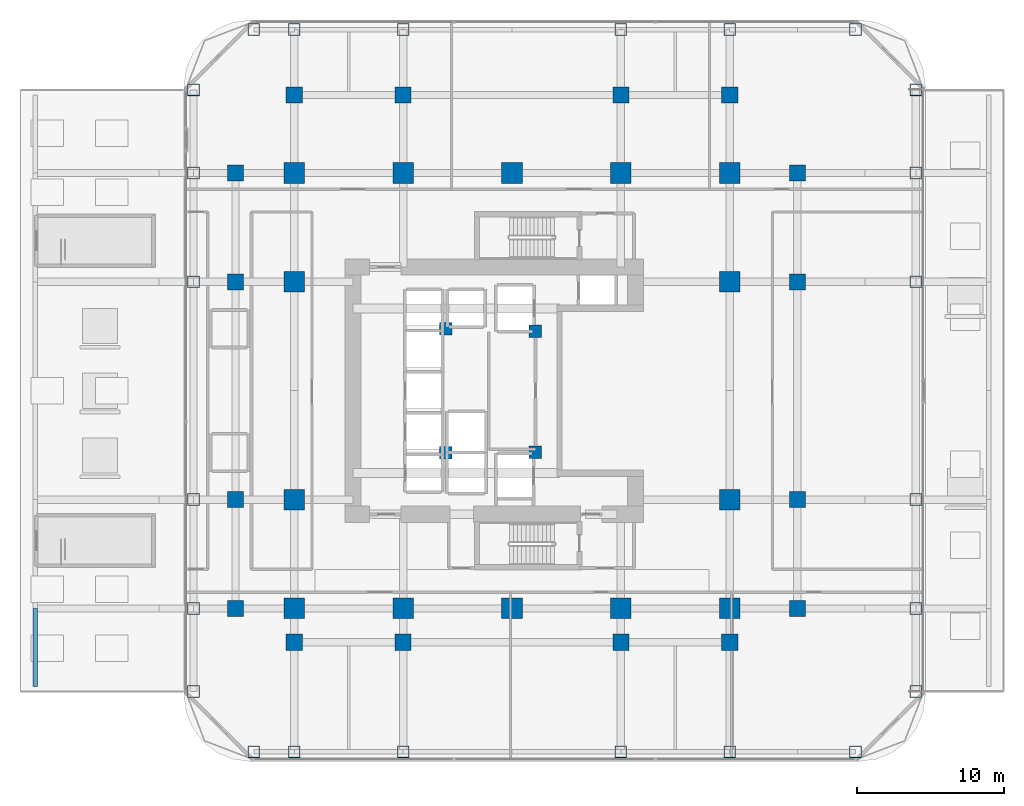
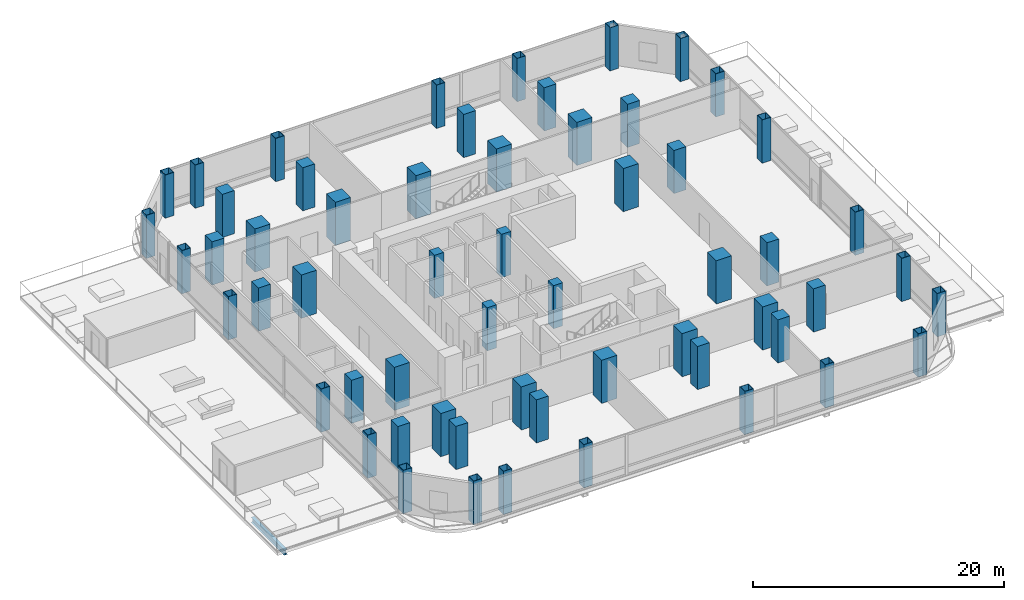
# One storey, part 1 of 29: 58 columns, 1 beam.
"""IFC4 building model written with IfcOpenShell, lengths in metres."""

from ifc_helpers import new_model, si_unit, direction, frame, origin, origin_2d, place, context, subcontext, project, spatial, rectangle, hollow_rectangle, i_section, extrude, material, material_profile, profile_set, type_object, element, save


model = new_model("IFC4")

# Units and contexts
model_context = context("Model", 3, precision=1e-05, world=origin(), true_north=direction((0.0, 1.0)))
body_context = subcontext(model_context, "Body", "Model", "MODEL_VIEW")
ifc_project = project(units=[si_unit("LENGTHUNIT", "METRE"), si_unit("AREAUNIT", "SQUARE_METRE"), si_unit("VOLUMEUNIT", "CUBIC_METRE"), si_unit("PLANEANGLEUNIT", "RADIAN"), si_unit("MASSUNIT", "GRAM", prefix="KILO")], contexts=[model_context])

# Site, building, storey
site_placement = place(None, origin())
site = spatial("IfcSite", under=ifc_project, at=site_placement, CompositionType="ELEMENT")
building_placement = place(site_placement, origin())
building = spatial("IfcBuilding", under=site, at=building_placement, Name="Khorvyn Point Tower", CompositionType="ELEMENT")
storey_placement = place(building_placement, frame((0.0, 0.0, 26.39990234375)))
storey = spatial("IfcBuildingStorey", under=building, at=storey_placement, Name="L07", CompositionType="ELEMENT", Elevation=26.39990234375)

# Columns
ifc_material_1 = material(Name="Concrete C40/50", Category="concrete")
ifc_material_profile_1 = material_profile(ifc_material_1, rectangle(XDim=0.85009765625, YDim=0.85009765625, at=origin_2d()))
ifc_profile_set_1 = profile_set([ifc_material_profile_1], Name="Concrete C40/50 RC850x850")
column_type_1 = type_object("IfcColumnType", Name="Concrete C40/50 Column RC850x850", PredefinedType="COLUMN", material=ifc_profile_set_1)
for number, where, z_axis, x_axis, name in (
    (1, (-4.52001953125, -4.199951171875, 0.0), (0.0, 0.0, 1.0), (1.0, 0.0, 0.0), "L07 Crown Core Spine Column 1"),
    (2, (1.580078125, -4.179931640625, 0.0), (0.0, 0.0, 1.0), (1.0, 0.0, 0.0), "L07 Crown Core Spine Column 2"),
    (3, (1.580078125, 4.050048828125, 0.0), (0.0, 0.0, 1.0), (1.0, 0.0, 0.0), "L07 Crown Core Spine Column 3"),
    (4, (-4.52001953125, 4.199951171875, 0.0), (0.0, 0.0, 1.0), (1.0, 0.0, 0.0), "L07 Crown Core Spine Column 4"),
):
    element("IfcColumn", number, at=place(storey_placement, frame(where, z_axis=z_axis, x_axis=x_axis)), inside=storey, type_object=column_type_1, Name=name, PredefinedType="COLUMN", context=body_context, shape_type="SweptSolid", body=[
        extrude(rectangle(XDim=0.85009765625, YDim=0.85009765625, at=origin_2d()), origin(), (0.0, 0.0, 1.0), 4.2001953125),
    ])
ifc_material_2 = material(Name="Concrete C45/55", Category="concrete")
ifc_material_profile_2 = material_profile(ifc_material_2, rectangle(XDim=1.10009765625, YDim=1.10009765625, at=origin_2d()))
ifc_profile_set_2 = profile_set([ifc_material_profile_2], Name="Concrete C45/55 RC1100x1100")
column_type_2 = type_object("IfcColumnType", Name="Concrete C45/55 Column RC1100x1100", PredefinedType="COLUMN", material=ifc_profile_set_2)
for number, where, z_axis, x_axis, name in (
    (5, (-18.800048828125, -14.800048828125, 0.0), (0.0, 0.0, 1.0), (1.0, 0.0, 0.0), "L07 Intermediate Column ICW--14"),
    (6, (-18.800048828125, -7.39990234375, 0.0), (0.0, 0.0, 1.0), (1.0, 0.0, 0.0), "L07 Intermediate Column ICW--7"),
    (7, (-18.800048828125, 7.39990234375, 0.0), (0.0, 0.0, 1.0), (1.0, 0.0, 0.0), "L07 Intermediate Column ICW-7"),
    (8, (-18.800048828125, 14.800048828125, 0.0), (0.0, 0.0, 1.0), (1.0, 0.0, 0.0), "L07 Intermediate Column ICW-14"),
    (9, (19.39990234375, -14.800048828125, 0.0), (0.0, 0.0, 1.0), (1.0, 0.0, 0.0), "L07 Intermediate Column ICE--14"),
    (10, (19.39990234375, -7.39990234375, 0.0), (0.0, 0.0, 1.0), (1.0, 0.0, 0.0), "L07 Intermediate Column ICE--7"),
    (11, (19.39990234375, 7.39990234375, 0.0), (0.0, 0.0, 1.0), (1.0, 0.0, 0.0), "L07 Intermediate Column ICE-7"),
    (12, (19.39990234375, 14.800048828125, 0.0), (0.0, 0.0, 1.0), (1.0, 0.0, 0.0), "L07 Intermediate Column ICE-14"),
    (13, (-14.800048828125, -17.10009765625, 0.0), (0.0, 0.0, 1.0), (1.0, 0.0, 0.0), "L07 Intermediate Column ICS--14"),
    (14, (-7.39990234375, -17.10009765625, 0.0), (0.0, 0.0, 1.0), (1.0, 0.0, 0.0), "L07 Intermediate Column ICS--7"),
    (15, (7.39990234375, -17.10009765625, 0.0), (0.0, 0.0, 1.0), (1.0, 0.0, 0.0), "L07 Intermediate Column ICS-7"),
    (16, (14.800048828125, -17.10009765625, 0.0), (0.0, 0.0, 1.0), (1.0, 0.0, 0.0), "L07 Intermediate Column ICS-14"),
    (17, (-14.800048828125, 20.10009765625, 0.0), (0.0, 0.0, 1.0), (1.0, 0.0, 0.0), "L07 Intermediate Column ICN--14"),
    (18, (-7.39990234375, 20.10009765625, 0.0), (0.0, 0.0, 1.0), (1.0, 0.0, 0.0), "L07 Intermediate Column ICN--7"),
    (19, (7.39990234375, 20.10009765625, 0.0), (0.0, 0.0, 1.0), (1.0, 0.0, 0.0), "L07 Intermediate Column ICN-7"),
    (20, (14.800048828125, 20.10009765625, 0.0), (0.0, 0.0, 1.0), (1.0, 0.0, 0.0), "L07 Intermediate Column ICN-14"),
):
    element("IfcColumn", number, at=place(storey_placement, frame(where, z_axis=z_axis, x_axis=x_axis)), inside=storey, type_object=column_type_2, Name=name, PredefinedType="COLUMN", context=body_context, shape_type="SweptSolid", body=[
        extrude(rectangle(XDim=1.10009765625, YDim=1.10009765625, at=origin_2d()), origin(), (0.0, 0.0, 1.0), 4.2001953125),
    ])
ifc_material_3 = material(Name="Concrete C50/60", Category="concrete")
ifc_material_profile_3 = material_profile(ifc_material_3, rectangle(XDim=1.39990234375, YDim=1.39990234375, at=origin_2d()))
ifc_profile_set_3 = profile_set([ifc_material_profile_3], Name="Concrete C50/60 RC1400x1400")
column_type_3 = type_object("IfcColumnType", Name="Concrete C50/60 Column RC1400x1400", PredefinedType="COLUMN", material=ifc_profile_set_3)
for number, where, z_axis, x_axis, name in (
    (21, (-14.800048828125, -14.800048828125, 0.0), (0.0, 0.0, 1.0), (1.0, 0.0, 0.0), "L07 Mega-Column MC-01"),
    (22, (-7.39990234375, -14.800048828125, 0.0), (0.0, 0.0, 1.0), (1.0, 0.0, 0.0), "L07 Mega-Column MC-02"),
    (23, (0.0, -14.800048828125, 0.0), (0.0, 0.0, 1.0), (1.0, 0.0, 0.0), "L07 Mega-Column MC-03"),
    (24, (7.39990234375, -14.800048828125, 0.0), (0.0, 0.0, 1.0), (1.0, 0.0, 0.0), "L07 Mega-Column MC-04"),
    (25, (14.800048828125, -14.800048828125, 0.0), (0.0, 0.0, 1.0), (1.0, 0.0, 0.0), "L07 Mega-Column MC-05"),
    (26, (-14.800048828125, 14.800048828125, 0.0), (0.0, 0.0, 1.0), (1.0, 0.0, 0.0), "L07 Mega-Column MC-06"),
    (27, (-7.39990234375, 14.800048828125, 0.0), (0.0, 0.0, 1.0), (1.0, 0.0, 0.0), "L07 Mega-Column MC-07"),
    (28, (0.0, 14.800048828125, 0.0), (0.0, 0.0, 1.0), (1.0, 0.0, 0.0), "L07 Mega-Column MC-08"),
    (29, (7.39990234375, 14.800048828125, 0.0), (0.0, 0.0, 1.0), (1.0, 0.0, 0.0), "L07 Mega-Column MC-09"),
    (30, (14.800048828125, 14.800048828125, 0.0), (0.0, 0.0, 1.0), (1.0, 0.0, 0.0), "L07 Mega-Column MC-10"),
    (31, (-14.800048828125, -7.39990234375, 0.0), (0.0, 0.0, 1.0), (1.0, 0.0, 0.0), "L07 Mega-Column MC-11"),
    (32, (-14.800048828125, 7.39990234375, 0.0), (0.0, 0.0, 1.0), (1.0, 0.0, 0.0), "L07 Mega-Column MC-12"),
    (33, (14.800048828125, -7.39990234375, 0.0), (0.0, 0.0, 1.0), (1.0, 0.0, 0.0), "L07 Mega-Column MC-13"),
    (34, (14.800048828125, 7.39990234375, 0.0), (0.0, 0.0, 1.0), (1.0, 0.0, 0.0), "L07 Mega-Column MC-14"),
):
    element("IfcColumn", number, at=place(storey_placement, frame(where, z_axis=z_axis, x_axis=x_axis)), inside=storey, type_object=column_type_3, Name=name, PredefinedType="COLUMN", context=body_context, shape_type="SweptSolid", body=[
        extrude(rectangle(XDim=1.39990234375, YDim=1.39990234375, at=origin_2d()), origin(), (0.0, 0.0, 1.0), 4.2001953125),
    ])
ifc_material_4 = material(Name="Steel S450", Category="steel")
ifc_material_profile_4 = material_profile(ifc_material_4, hollow_rectangle(XDim=0.800048828125, YDim=0.800048828125, WallThickness=0.035888671875, at=origin_2d()))
ifc_profile_set_4 = profile_set([ifc_material_profile_4], Name="Steel S450 BOX800x800x36")
column_type_4 = type_object("IfcColumnType", Name="Steel S450 Structural Column BOX800x800x36", PredefinedType="COLUMN", material=ifc_profile_set_4)
for number, where, z_axis, x_axis, name in (
    (35, (-17.550048828125, -24.550048828125, 0.0), (0.0, 0.0, 1.0), (1.0, 0.0, 0.0), "L07 Perimeter Tube Column TC-01"),
    (36, (23.35009765625, -24.550048828125, 0.0), (0.0, 0.0, 1.0), (1.0, 0.0, 0.0), "L07 Perimeter Tube Column TC-02"),
    (37, (-17.550048828125, 24.550048828125, 0.0), (0.0, 0.0, 1.0), (1.0, 0.0, 0.0), "L07 Perimeter Tube Column TC-03"),
    (38, (23.35009765625, 24.550048828125, 0.0), (0.0, 0.0, 1.0), (1.0, 0.0, 0.0), "L07 Perimeter Tube Column TC-04"),
    (39, (-21.64990234375, -20.449951171875, 0.0), (0.0, 0.0, 1.0), (1.0, 0.0, 0.0), "L07 Perimeter Tube Column TC-05"),
    (40, (-21.64990234375, 20.449951171875, 0.0), (0.0, 0.0, 1.0), (1.0, 0.0, 0.0), "L07 Perimeter Tube Column TC-06"),
    (41, (27.449951171875, -20.449951171875, 0.0), (0.0, 0.0, 1.0), (1.0, 0.0, 0.0), "L07 Perimeter Tube Column TC-07"),
    (42, (27.449951171875, 20.449951171875, 0.0), (0.0, 0.0, 1.0), (1.0, 0.0, 0.0), "L07 Perimeter Tube Column TC-08"),
    (43, (-14.800048828125, -24.550048828125, 0.0), (0.0, 0.0, 1.0), (1.0, 0.0, 0.0), "L07 Perimeter Tube Column TC-09"),
    (44, (-14.800048828125, 24.550048828125, 0.0), (0.0, 0.0, 1.0), (1.0, 0.0, 0.0), "L07 Perimeter Tube Column TC-10"),
    (45, (-7.39990234375, -24.550048828125, 0.0), (0.0, 0.0, 1.0), (1.0, 0.0, 0.0), "L07 Perimeter Tube Column TC-11"),
    (46, (-7.39990234375, 24.550048828125, 0.0), (0.0, 0.0, 1.0), (1.0, 0.0, 0.0), "L07 Perimeter Tube Column TC-12"),
    (47, (7.39990234375, -24.550048828125, 0.0), (0.0, 0.0, 1.0), (1.0, 0.0, 0.0), "L07 Perimeter Tube Column TC-13"),
    (48, (7.39990234375, 24.550048828125, 0.0), (0.0, 0.0, 1.0), (1.0, 0.0, 0.0), "L07 Perimeter Tube Column TC-14"),
    (49, (14.800048828125, -24.550048828125, 0.0), (0.0, 0.0, 1.0), (1.0, 0.0, 0.0), "L07 Perimeter Tube Column TC-15"),
    (50, (14.800048828125, 24.550048828125, 0.0), (0.0, 0.0, 1.0), (1.0, 0.0, 0.0), "L07 Perimeter Tube Column TC-16"),
    (51, (-21.64990234375, -14.800048828125, 0.0), (0.0, 0.0, 1.0), (1.0, 0.0, 0.0), "L07 Perimeter Tube Column TC-17"),
    (52, (27.449951171875, -14.800048828125, 0.0), (0.0, 0.0, 1.0), (1.0, 0.0, 0.0), "L07 Perimeter Tube Column TC-18"),
    (53, (-21.64990234375, -7.39990234375, 0.0), (0.0, 0.0, 1.0), (1.0, 0.0, 0.0), "L07 Perimeter Tube Column TC-19"),
    (54, (27.449951171875, -7.39990234375, 0.0), (0.0, 0.0, 1.0), (1.0, 0.0, 0.0), "L07 Perimeter Tube Column TC-20"),
    (55, (-21.64990234375, 7.39990234375, 0.0), (0.0, 0.0, 1.0), (1.0, 0.0, 0.0), "L07 Perimeter Tube Column TC-21"),
    (56, (27.449951171875, 7.39990234375, 0.0), (0.0, 0.0, 1.0), (1.0, 0.0, 0.0), "L07 Perimeter Tube Column TC-22"),
    (57, (-21.64990234375, 14.800048828125, 0.0), (0.0, 0.0, 1.0), (1.0, 0.0, 0.0), "L07 Perimeter Tube Column TC-23"),
    (58, (27.449951171875, 14.800048828125, 0.0), (0.0, 0.0, 1.0), (1.0, 0.0, 0.0), "L07 Perimeter Tube Column TC-24"),
):
    element("IfcColumn", number, at=place(storey_placement, frame(where, z_axis=z_axis, x_axis=x_axis)), inside=storey, type_object=column_type_4, Name=name, PredefinedType="COLUMN", context=body_context, shape_type="SweptSolid", body=[
        extrude(hollow_rectangle(XDim=0.800048828125, YDim=0.800048828125, WallThickness=0.035888671875, at=origin_2d()), origin(), (0.0, 0.0, 1.0), 4.2001953125),
    ])

# Beam
ifc_material_5 = material(Name="Steel S355", Category="steel")
ifc_material_profile_5 = material_profile(ifc_material_5, i_section(OverallWidth=0.300048828125, OverallDepth=0.488037109375, WebThickness=0.010986328125, FlangeThickness=0.01806640625, at=origin_2d()))
ifc_profile_set_5 = profile_set([ifc_material_profile_5], Name="Steel S355 H488x300x11x18")
beam_type = type_object("IfcBeamType", Name="Steel S355 Spandrel H488x300x11x18", PredefinedType="SPANDREL", material=ifc_profile_set_5)
beam_placement = place(storey_placement, frame((-32.39990234375, -20.10009765625, -0.56396484375), z_axis=(0.0, 1.0, 0.0), x_axis=(-1.0, 0.0, 0.0)))
element("IfcBeam", 59, at=beam_placement, inside=storey, type_object=beam_type, Name="Beam", PredefinedType="SPANDREL", context=body_context, shape_type="SweptSolid", body=[
    extrude(i_section(OverallWidth=0.300048828125, OverallDepth=0.488037109375, WebThickness=0.010986328125, FlangeThickness=0.01806640625, at=origin_2d()), origin(), (0.0, 0.0, 1.0), 5.300048828125),
])

save(model, "model.ifc")
